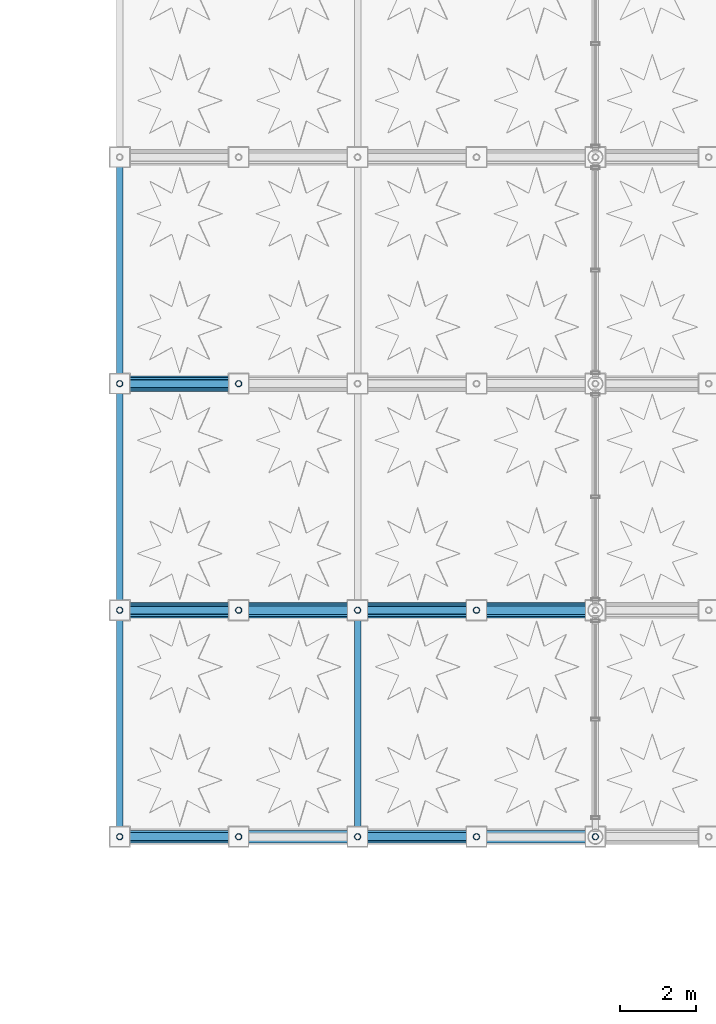
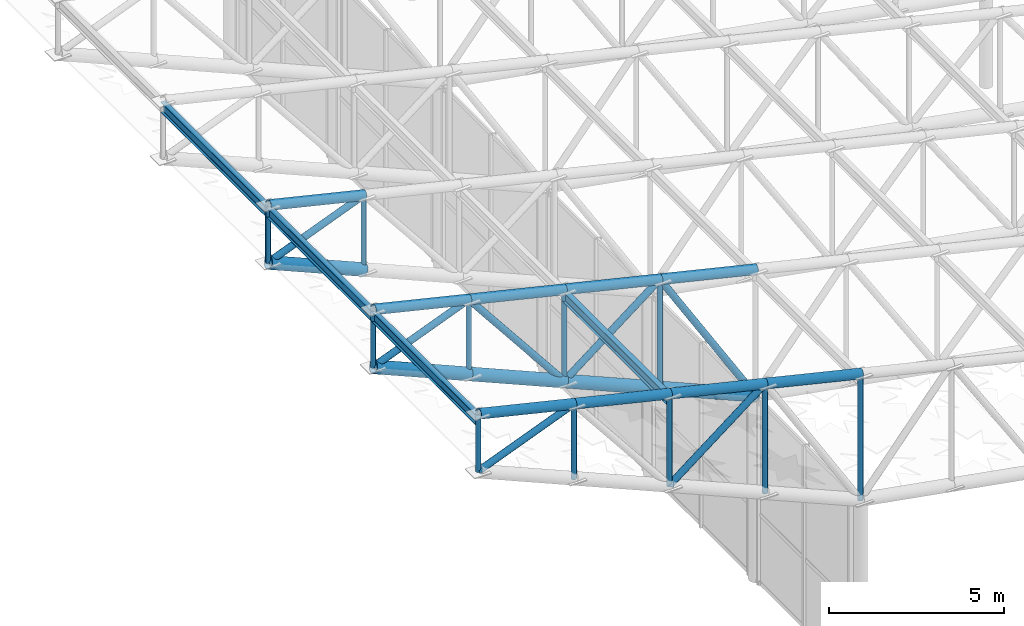
# One storey, part 25 of 112: 32 members, 4 beams.
"""IFC4 building model written with IfcOpenShell, lengths in metres."""

import ifcopenshell
import ifcopenshell.guid

model = None  # the IFC model being written
_history = None  # IfcOwnerHistory: only IFC2X3 demands one
_inside = {}  # id of a spatial element -> (the spatial element, [elements in it])
_under = {}  # id of a project, library or spatial element -> (it, [spatial elements below it])
_declared = {}  # id of a project -> (the project, [libraries it declares])
_typed = {}  # id of a type object -> (the type object, [elements of that type])
_made_of = {}  # id of a material, layer set ... -> (it, [elements and type objects made of it])


def new_model(schema):
    """Start an empty IFC model of exactly this schema.

    Asked for "IFC4X3", IfcOpenShell would pick the latest addendum, in which some entities
    have other attributes; the version numbers below select the first issue.
    IFC2X3 requires an IfcOwnerHistory on every rooted entity: one is made here for all.
    """
    global model, _history
    if schema == "IFC4X3":
        model = ifcopenshell.file(schema_version=(4, 3, 0, 0))
    else:
        model = ifcopenshell.file(schema=schema)
    _inside.clear()
    _under.clear()
    _declared.clear()
    _typed.clear()
    _made_of.clear()
    _history = None
    if model.schema == "IFC2X3":
        org = make("IfcOrganization", Name="unknown")
        user = make(
            "IfcPersonAndOrganization",
            ThePerson=make("IfcPerson", FamilyName="unknown"),
            TheOrganization=org,
        )
        app = make(
            "IfcApplication",
            ApplicationDeveloper=org,
            Version="unknown",
            ApplicationFullName="unknown",
            ApplicationIdentifier="unknown",
        )
        _history = make(
            "IfcOwnerHistory",
            OwningUser=user,
            OwningApplication=app,
            ChangeAction="ADDED",
            CreationDate=0,
        )
    return model


def make(cls, **values):
    """One entity of the class cls with the attributes given. An attribute that is None is left unset."""
    return model.create_entity(
        cls, **{name: value for name, value in values.items() if value is not None}
    )


def rooted(cls, **values):
    """An entity with a GlobalId (a new one), such as an element, a storey or a relation."""
    return make(cls, GlobalId=ifcopenshell.guid.new(), OwnerHistory=_history, **values)


def si_unit(unit_type, name, prefix=None):
    """IfcSIUnit, for example si_unit("LENGTHUNIT", "METRE", prefix="MILLI")."""
    return make("IfcSIUnit", UnitType=unit_type, Prefix=prefix, Name=name)


def assignment(units):
    """IfcUnitAssignment: the units of a project."""
    return None if units is None else make("IfcUnitAssignment", Units=units)


def point(xyz):
    """IfcCartesianPoint."""
    return None if xyz is None else make("IfcCartesianPoint", Coordinates=xyz)


def direction(xyz):
    """IfcDirection."""
    return None if xyz is None else make("IfcDirection", DirectionRatios=xyz)


def frame(location, z_axis=None, x_axis=None):
    """IfcAxis2Placement3D, a coordinate frame: its origin and axes. An axis left out is left unset."""
    return make(
        "IfcAxis2Placement3D",
        Location=point(location),
        Axis=direction(z_axis),
        RefDirection=direction(x_axis),
    )


def frame_2d(location, x_axis=None):
    """IfcAxis2Placement2D, a coordinate frame in the plane: its origin and x axis."""
    return make(
        "IfcAxis2Placement2D", Location=point(location), RefDirection=direction(x_axis)
    )


def origin():
    """The frame at (0, 0, 0) with its axes left unset."""
    return frame((0.0, 0.0, 0.0))


def origin_2d():
    """The frame at (0, 0) in the plane with its x axis left unset."""
    return frame_2d((0.0, 0.0))


def place(relative_to, where):
    """IfcLocalPlacement: puts the frame where relative to a parent placement (None: the world)."""
    return make(
        "IfcLocalPlacement", PlacementRelTo=relative_to, RelativePlacement=where
    )


def context(
    kind, dimensions, precision=None, world=None, true_north=None, identifier=None
):
    """IfcGeometricRepresentationContext, for example the 3D "Model" context."""
    return make(
        "IfcGeometricRepresentationContext",
        ContextIdentifier=identifier,
        ContextType=kind,
        CoordinateSpaceDimension=dimensions,
        Precision=precision,
        WorldCoordinateSystem=world,
        TrueNorth=true_north,
    )


def subcontext(parent, identifier, kind, view, scale=None):
    """IfcGeometricRepresentationSubContext, for example "Body" below "Model"."""
    return make(
        "IfcGeometricRepresentationSubContext",
        ContextIdentifier=identifier,
        ContextType=kind,
        ParentContext=parent,
        TargetScale=scale,
        TargetView=view,
    )


def project(units=None, contexts=None):
    """IfcProject with its units and contexts."""
    return rooted(
        "IfcProject",
        Name="project",
        RepresentationContexts=contexts,
        UnitsInContext=assignment(units),
    )


def spatial(cls, under=None, at=None, **own):
    """A site, building, storey or space (cls), placed at a placement, below another one or the project."""
    s = rooted(cls, ObjectPlacement=at, **own)
    if under is not None:
        _under.setdefault(under.id(), (under, []))[1].append(s)
    return s


def profile(cls, at=None, kind="AREA", **sizes):
    """A parametric profile (cls). Its sizes go by their IFC names, for example OverallWidth=200.0."""
    return make(cls, ProfileType=kind, Position=at, **sizes)


def hollow_circle(**sizes):
    """IfcCircleHollowProfileDef."""
    return profile("IfcCircleHollowProfileDef", **sizes)


def i_section(**sizes):
    """IfcIShapeProfileDef."""
    return profile("IfcIShapeProfileDef", **sizes)


def extrude(swept, where, along, depth):
    """IfcExtrudedAreaSolid: the profile swept, set in the frame where, extruded along a direction by depth."""
    return make(
        "IfcExtrudedAreaSolid",
        SweptArea=swept,
        Position=where,
        ExtrudedDirection=direction(along),
        Depth=depth,
    )


def shape(context_of_items, identifier, shape_type, items):
    """IfcShapeRepresentation: the items that make up one representation, for example the "Body"."""
    return make(
        "IfcShapeRepresentation",
        ContextOfItems=context_of_items,
        RepresentationIdentifier=identifier,
        RepresentationType=shape_type,
        Items=items,
    )


def material(Name=None, Category=None):
    """IfcMaterial."""
    return make("IfcMaterial", Name=Name, Category=Category)


def material_profile(
    of_material, cross_section, Name=None, Category=None, Priority=None
):
    """IfcMaterialProfile: a cross section and its material."""
    return make(
        "IfcMaterialProfile",
        Name=Name,
        Material=of_material,
        Profile=cross_section,
        Priority=Priority,
        Category=Category,
    )


def profile_set(profiles, Name=None, composite=None):
    """IfcMaterialProfileSet."""
    return make(
        "IfcMaterialProfileSet",
        Name=Name,
        MaterialProfiles=profiles,
        CompositeProfile=composite,
    )


def made_of(thing, what):
    """Note that an element or type object is made of a material, layer set ...; save() writes the relation."""
    if what is not None:
        _made_of.setdefault(what.id(), (what, []))[1].append(thing)
    return thing


def type_object(cls, material=None, **own):
    """A type object (cls), such as IfcWallType, which elements share."""
    return made_of(rooted(cls, **own), material)


def element(
    cls,
    number,
    at=None,
    inside=None,
    cuts=None,
    type_object=None,
    material=None,
    context=None,
    identifier="Body",
    shape_type=None,
    held_by="IfcProductDefinitionShape",
    body=None,
    shapes=None,
    **own,
):
    """One element of the class cls, such as IfcWall. Its Tag is "e" and its number.

    at: its placement. inside: the storey or other place that contains it. cuts: it is an
    opening in that element (IfcRelVoidsElement). A single representation is given by context,
    identifier, shape_type and body (its items); several are given by shapes. held_by: the class
    of the entity that holds the representations. save() writes the other relations.
    """
    e = rooted(cls, Tag="e%d" % number, ObjectPlacement=at, **own)
    if body is not None:
        shapes = [shape(context, identifier, shape_type, body)]
    if shapes is not None:
        e.Representation = make(held_by, Representations=shapes)
    if inside is not None:
        _inside.setdefault(inside.id(), (inside, []))[1].append(e)
    if cuts is not None:
        rooted(
            "IfcRelVoidsElement", RelatingBuildingElement=cuts, RelatedOpeningElement=e
        )
    if type_object is not None:
        _typed.setdefault(type_object.id(), (type_object, []))[1].append(e)
    return made_of(e, material)


def aggregate(whole, parts):
    """IfcRelAggregates: a whole, such as a stair, and the parts it consists of."""
    return rooted("IfcRelAggregates", RelatingObject=whole, RelatedObjects=parts)


def save(model, path):
    """Write the relations noted so far, then the file.

    IfcRelAggregates (storeys below a building ...), IfcRelContainedInSpatialStructure (elements
    in a storey), IfcRelDefinesByType, IfcRelAssociatesMaterial and IfcRelDeclares: one each for
    every whole, place, type object, material and project.
    """
    for whole, parts in _under.values():
        aggregate(whole, parts)
    for where, things in _inside.values():
        rooted(
            "IfcRelContainedInSpatialStructure",
            RelatedElements=things,
            RelatingStructure=where,
        )
    for kind, things in _typed.values():
        rooted("IfcRelDefinesByType", RelatedObjects=things, RelatingType=kind)
    for what, things in _made_of.values():
        rooted("IfcRelAssociatesMaterial", RelatedObjects=things, RelatingMaterial=what)
    for by, libraries in _declared.values():
        rooted("IfcRelDeclares", RelatingContext=by, RelatedDefinitions=libraries)
    model.write(path)


model = new_model("IFC4")

# Units and contexts
model_context = context("Model", 3, precision=1e-05, world=origin(), true_north=direction((0.0, 1.0)))
body_context = subcontext(model_context, "Body", "Model", "MODEL_VIEW")
ifc_project = project(units=[si_unit("LENGTHUNIT", "METRE"), si_unit("AREAUNIT", "SQUARE_METRE"), si_unit("VOLUMEUNIT", "CUBIC_METRE"), si_unit("PLANEANGLEUNIT", "RADIAN"), si_unit("MASSUNIT", "GRAM", prefix="KILO"), si_unit("THERMODYNAMICTEMPERATUREUNIT", "KELVIN"), si_unit("POWERUNIT", "WATT")], contexts=[model_context])

# Site, building, storey
site_placement = place(None, origin())
site = spatial("IfcSite", under=ifc_project, at=site_placement, CompositionType="ELEMENT")
building_placement = place(site_placement, origin())
building = spatial("IfcBuilding", under=site, at=building_placement, Name="Phaisarnlok Congress Hotel", CompositionType="ELEMENT")
storey_placement = place(building_placement, frame((0.0, 0.0, 19.800048828125)))
storey = spatial("IfcBuildingStorey", under=building, at=storey_placement, Name="L04", CompositionType="ELEMENT", Elevation=19.800048828125)

# Beams
ifc_material = material(Name="Steel S355", Category="steel")
ifc_material_profile_1 = material_profile(ifc_material, i_section(OverallWidth=0.169921875, OverallDepth=0.360107421875, WebThickness=0.008056640625, FlangeThickness=0.0126953125, FilletRadius=0.01806640625, at=origin_2d()), Name="IPE 360")
ifc_profile_set_1 = profile_set([ifc_material_profile_1], Name="Steel S355")
beam_type = type_object("IfcBeamType", Name="JS-STL-IPE360-EXT", PredefinedType="JOIST", material=ifc_profile_set_1)
for number, where, z_axis, x_axis, name in (
    (1, (113.699951171875, 48.0, 12.104248046875), (0.0, 1.0, 0.0), (-1.0, 0.0, 0.0), "Cloister wing roof purlin"),
    (2, (107.39990234375, 48.0, 13.60791015625), (0.0, 1.0, 0.0), (-1.0, 0.0, 0.0), "Cloister wing roof purlin"),
    (3, (107.39990234375, 54.0, 13.60791015625), (0.0, 1.0, 0.0), (-1.0, 0.0, 0.0), "Cloister wing roof purlin"),
    (4, (107.39990234375, 60.0, 13.60791015625), (0.0, 1.0, 0.0), (-1.0, 0.0, 0.0), "Cloister wing roof purlin"),
):
    element("IfcBeam", number, at=place(storey_placement, frame(where, z_axis=z_axis, x_axis=x_axis)), inside=storey, type_object=beam_type, Name=name, PredefinedType="JOIST", context=body_context, shape_type="SweptSolid", body=[
        extrude(i_section(OverallWidth=0.169921875, OverallDepth=0.360107421875, WebThickness=0.008056640625, FlangeThickness=0.0126953125, FilletRadius=0.01806640625, at=origin_2d()), origin(), (0.0, 0.0, 1.0), 6.0),
    ])

# Members
ifc_material_profile_2 = material_profile(ifc_material, hollow_circle(Radius=0.084228515625, WallThickness=0.010009765625, at=origin_2d()), Name="CHS 168.3x10")
ifc_profile_set_2 = profile_set([ifc_material_profile_2], Name="Steel S355")
member_type_1 = type_object("IfcMemberType", Name="MEM-BRC-CHS168", PredefinedType="BRACE", material=ifc_profile_set_2)
member_1_placement = place(storey_placement, frame((120.0, 48.0, 6.39990234375), z_axis=(0.0, 0.0, 1.0), x_axis=(1.0, 0.0, 0.0)))
element("IfcMember", 5, at=member_1_placement, inside=storey, type_object=member_type_1, Name="Cloister wing roof truss vertical web", PredefinedType="BRACE", context=body_context, shape_type="SweptSolid", body=[
    extrude(hollow_circle(Radius=0.084228515625, WallThickness=0.010009765625, at=origin_2d()), origin(), (0.0, 0.0, 1.0), 4.392578125),
])
ifc_material_profile_3 = material_profile(ifc_material, hollow_circle(Radius=0.084228515625, WallThickness=0.010009765625, at=origin_2d()), Name="CHS 168.3x10")
ifc_profile_set_3 = profile_set([ifc_material_profile_3], Name="Steel S355")
member_type_2 = type_object("IfcMemberType", Name="MEM-BRC-CHS168-EXT", PredefinedType="BRACE", material=ifc_profile_set_3)
member_2_placement = place(storey_placement, frame((116.85009765625, 48.0, 7.75), z_axis=(0.0, 0.0, 1.0), x_axis=(1.0, 0.0, 0.0)))
element("IfcMember", 6, at=member_2_placement, inside=storey, type_object=member_type_2, Name="Cloister wing roof truss vertical web", PredefinedType="BRACE", context=body_context, shape_type="SweptSolid", body=[
    extrude(hollow_circle(Radius=0.084228515625, WallThickness=0.010009765625, at=origin_2d()), origin(), (0.0, 0.0, 1.0), 3.79443359375),
])
member_3_placement = place(storey_placement, frame((113.699951171875, 48.0, 9.099853515625), z_axis=(0.0, 0.0, 1.0), x_axis=(1.0, 0.0, 0.0)))
element("IfcMember", 7, at=member_3_placement, inside=storey, type_object=member_type_2, Name="Cloister wing roof truss vertical web", PredefinedType="BRACE", context=body_context, shape_type="SweptSolid", body=[
    extrude(hollow_circle(Radius=0.084228515625, WallThickness=0.010009765625, at=origin_2d()), origin(), (0.0, 0.0, 1.0), 3.1962890625),
])
member_4_placement = place(storey_placement, frame((110.550048828125, 48.0, 10.449951171875), z_axis=(0.0, 0.0, 1.0), x_axis=(1.0, 0.0, 0.0)))
element("IfcMember", 8, at=member_4_placement, inside=storey, type_object=member_type_2, Name="Cloister wing roof truss vertical web", PredefinedType="BRACE", context=body_context, shape_type="SweptSolid", body=[
    extrude(hollow_circle(Radius=0.084228515625, WallThickness=0.010009765625, at=origin_2d()), origin(), (0.0, 0.0, 1.0), 2.59814453125),
])
member_5_placement = place(storey_placement, frame((107.39990234375, 48.0, 11.800048828125), z_axis=(0.0, 0.0, 1.0), x_axis=(1.0, 0.0, 0.0)))
element("IfcMember", 9, at=member_5_placement, inside=storey, type_object=member_type_2, Name="Cloister wing roof truss vertical web", PredefinedType="BRACE", context=body_context, shape_type="SweptSolid", body=[
    extrude(hollow_circle(Radius=0.084228515625, WallThickness=0.010009765625, at=origin_2d()), origin(), (0.0, 0.0, 1.0), 2.0),
])
member_6_placement = place(storey_placement, frame((116.85009765625, 54.0, 7.75), z_axis=(0.0, 0.0, 1.0), x_axis=(1.0, 0.0, 0.0)))
element("IfcMember", 10, at=member_6_placement, inside=storey, type_object=member_type_2, Name="Cloister wing roof truss vertical web", PredefinedType="BRACE", context=body_context, shape_type="SweptSolid", body=[
    extrude(hollow_circle(Radius=0.084228515625, WallThickness=0.010009765625, at=origin_2d()), origin(), (0.0, 0.0, 1.0), 3.79443359375),
])
member_7_placement = place(storey_placement, frame((113.699951171875, 54.0, 9.099853515625), z_axis=(0.0, 0.0, 1.0), x_axis=(1.0, 0.0, 0.0)))
element("IfcMember", 11, at=member_7_placement, inside=storey, type_object=member_type_2, Name="Cloister wing roof truss vertical web", PredefinedType="BRACE", context=body_context, shape_type="SweptSolid", body=[
    extrude(hollow_circle(Radius=0.084228515625, WallThickness=0.010009765625, at=origin_2d()), origin(), (0.0, 0.0, 1.0), 3.1962890625),
])
member_8_placement = place(storey_placement, frame((110.550048828125, 54.0, 10.449951171875), z_axis=(0.0, 0.0, 1.0), x_axis=(1.0, 0.0, 0.0)))
element("IfcMember", 12, at=member_8_placement, inside=storey, type_object=member_type_2, Name="Cloister wing roof truss vertical web", PredefinedType="BRACE", context=body_context, shape_type="SweptSolid", body=[
    extrude(hollow_circle(Radius=0.084228515625, WallThickness=0.010009765625, at=origin_2d()), origin(), (0.0, 0.0, 1.0), 2.59814453125),
])
member_9_placement = place(storey_placement, frame((107.39990234375, 54.0, 11.800048828125), z_axis=(0.0, 0.0, 1.0), x_axis=(1.0, 0.0, 0.0)))
element("IfcMember", 13, at=member_9_placement, inside=storey, type_object=member_type_2, Name="Cloister wing roof truss vertical web", PredefinedType="BRACE", context=body_context, shape_type="SweptSolid", body=[
    extrude(hollow_circle(Radius=0.084228515625, WallThickness=0.010009765625, at=origin_2d()), origin(), (0.0, 0.0, 1.0), 2.0),
])
member_10_placement = place(storey_placement, frame((110.550048828125, 60.0, 10.449951171875), z_axis=(0.0, 0.0, 1.0), x_axis=(1.0, 0.0, 0.0)))
element("IfcMember", 14, at=member_10_placement, inside=storey, type_object=member_type_2, Name="Cloister wing roof truss vertical web", PredefinedType="BRACE", context=body_context, shape_type="SweptSolid", body=[
    extrude(hollow_circle(Radius=0.084228515625, WallThickness=0.010009765625, at=origin_2d()), origin(), (0.0, 0.0, 1.0), 2.59814453125),
])
member_11_placement = place(storey_placement, frame((107.39990234375, 60.0, 11.800048828125), z_axis=(0.0, 0.0, 1.0), x_axis=(1.0, 0.0, 0.0)))
element("IfcMember", 15, at=member_11_placement, inside=storey, type_object=member_type_2, Name="Cloister wing roof truss vertical web", PredefinedType="BRACE", context=body_context, shape_type="SweptSolid", body=[
    extrude(hollow_circle(Radius=0.084228515625, WallThickness=0.010009765625, at=origin_2d()), origin(), (0.0, 0.0, 1.0), 2.0),
])
ifc_material_profile_4 = material_profile(ifc_material, hollow_circle(Radius=0.109619140625, WallThickness=0.012451171875, at=origin_2d()), Name="CHS 219.1x12.5")
ifc_profile_set_4 = profile_set([ifc_material_profile_4], Name="Steel S355")
member_type_3 = type_object("IfcMemberType", Name="MEM-BRC-CHS219-EXT", PredefinedType="BRACE", material=ifc_profile_set_4)
member_12_placement = place(storey_placement, frame((113.699951171875, 48.0, 9.099853515625), z_axis=(0.790024309268, 0.0, 0.613075517996), x_axis=(0.0, 1.0, 0.0)))
element("IfcMember", 16, at=member_12_placement, inside=storey, type_object=member_type_3, Name="Cloister wing roof truss diagonal brace", PredefinedType="BRACE", context=body_context, shape_type="SweptSolid", body=[
    extrude(hollow_circle(Radius=0.109619140625, WallThickness=0.012451171875, at=origin_2d()), origin(), (0.0, 0.0, 1.0), 3.9873046875),
])
member_13_placement = place(storey_placement, frame((107.39990234375, 48.0, 11.800048828125), z_axis=(0.929694070323, 0.0, 0.368332642602), x_axis=(0.0, 1.0, 0.0)))
element("IfcMember", 17, at=member_13_placement, inside=storey, type_object=member_type_3, Name="Cloister wing roof truss diagonal brace", PredefinedType="BRACE", context=body_context, shape_type="SweptSolid", body=[
    extrude(hollow_circle(Radius=0.109619140625, WallThickness=0.012451171875, at=origin_2d()), origin(), (0.0, 0.0, 1.0), 3.388427734375),
])
member_14_placement = place(storey_placement, frame((120.0, 54.0, 6.39990234375), z_axis=(-0.522176688857, 0.0, 0.852837326584), x_axis=(0.0, -1.0, 0.0)))
element("IfcMember", 18, at=member_14_placement, inside=storey, type_object=member_type_3, Name="Cloister wing roof truss diagonal brace", PredefinedType="BRACE", context=body_context, shape_type="SweptSolid", body=[
    extrude(hollow_circle(Radius=0.109619140625, WallThickness=0.012451171875, at=origin_2d()), origin(), (0.0, 0.0, 1.0), 6.0322265625),
])
member_15_placement = place(storey_placement, frame((113.699951171875, 54.0, 9.099853515625), z_axis=(0.790024309268, 0.0, 0.613075517996), x_axis=(0.0, 1.0, 0.0)))
element("IfcMember", 19, at=member_15_placement, inside=storey, type_object=member_type_3, Name="Cloister wing roof truss diagonal brace", PredefinedType="BRACE", context=body_context, shape_type="SweptSolid", body=[
    extrude(hollow_circle(Radius=0.109619140625, WallThickness=0.012451171875, at=origin_2d()), origin(), (0.0, 0.0, 1.0), 3.9873046875),
])
member_16_placement = place(storey_placement, frame((113.699951171875, 54.0, 9.099853515625), z_axis=(-0.623645214912, 0.0, 0.78170751942), x_axis=(0.0, -1.0, 0.0)))
element("IfcMember", 20, at=member_16_placement, inside=storey, type_object=member_type_3, Name="Cloister wing roof truss diagonal brace", PredefinedType="BRACE", context=body_context, shape_type="SweptSolid", body=[
    extrude(hollow_circle(Radius=0.109619140625, WallThickness=0.012451171875, at=origin_2d()), origin(), (0.0, 0.0, 1.0), 5.05078125),
])
for number, where, z_axis, x_axis, name in (
    (21, (107.39990234375, 54.0, 11.800048828125), (0.929694070323, 0.0, 0.368332642602), (0.0, 1.0, 0.0), "Cloister wing roof truss diagonal brace"),
    (22, (107.39990234375, 60.0, 11.800048828125), (0.929694070323, 0.0, 0.368332642602), (0.0, 1.0, 0.0), "Cloister wing roof truss diagonal brace"),
):
    element("IfcMember", number, at=place(storey_placement, frame(where, z_axis=z_axis, x_axis=x_axis)), inside=storey, type_object=member_type_3, Name=name, PredefinedType="BRACE", context=body_context, shape_type="SweptSolid", body=[
        extrude(hollow_circle(Radius=0.109619140625, WallThickness=0.012451171875, at=origin_2d()), origin(), (0.0, 0.0, 1.0), 3.388427734375),
    ])
ifc_material_profile_5 = material_profile(ifc_material, hollow_circle(Radius=0.161865234375, WallThickness=0.01611328125, at=origin_2d()), Name="CHS 323.9x16")
ifc_profile_set_5 = profile_set([ifc_material_profile_5], Name="Steel S355")
member_type_4 = type_object("IfcMemberType", Name="MEM-CHD-CHS324-EXT", PredefinedType="CHORD", material=ifc_profile_set_5)
for number, where, z_axis, x_axis, name in (
    (23, (120.0, 48.0, 10.79248046875), (-0.972668531165, 0.0, 0.232198037203), (0.0, -1.0, 0.0), "Cloister wing roof truss top chord"),
    (24, (116.85009765625, 48.0, 11.54443359375), (-0.972689617372, 0.0, 0.232109690141), (0.0, -1.0, 0.0), "Cloister wing roof truss top chord"),
    (25, (113.699951171875, 48.0, 12.296142578125), (-0.972668531165, 0.0, 0.232198037203), (0.0, -1.0, 0.0), "Cloister wing roof truss top chord"),
):
    element("IfcMember", number, at=place(storey_placement, frame(where, z_axis=z_axis, x_axis=x_axis)), inside=storey, type_object=member_type_4, Name=name, PredefinedType="CHORD", context=body_context, shape_type="SweptSolid", body=[
        extrude(hollow_circle(Radius=0.161865234375, WallThickness=0.01611328125, at=origin_2d()), origin(), (0.0, 0.0, 1.0), 3.238525390625),
    ])
member_17_placement = place(storey_placement, frame((110.550048828125, 48.0, 13.048095703125), z_axis=(-0.972672595385, 0.0, 0.232181011686), x_axis=(0.0, -1.0, 0.0)))
element("IfcMember", 26, at=member_17_placement, inside=storey, type_object=member_type_4, Name="Cloister wing roof truss top chord", PredefinedType="CHORD", context=body_context, shape_type="SweptSolid", body=[
    extrude(hollow_circle(Radius=0.161865234375, WallThickness=0.01611328125, at=origin_2d()), origin(), (0.0, 0.0, 1.0), 3.23876953125),
])
for number, where, z_axis, x_axis, name in (
    (27, (120.0, 54.0, 10.79248046875), (-0.972668531165, 0.0, 0.232198037203), (0.0, -1.0, 0.0), "Cloister wing roof truss top chord"),
    (28, (116.85009765625, 54.0, 11.54443359375), (-0.972689617372, 0.0, 0.232109690141), (0.0, -1.0, 0.0), "Cloister wing roof truss top chord"),
    (29, (113.699951171875, 54.0, 12.296142578125), (-0.972668531165, 0.0, 0.232198037203), (0.0, -1.0, 0.0), "Cloister wing roof truss top chord"),
):
    element("IfcMember", number, at=place(storey_placement, frame(where, z_axis=z_axis, x_axis=x_axis)), inside=storey, type_object=member_type_4, Name=name, PredefinedType="CHORD", context=body_context, shape_type="SweptSolid", body=[
        extrude(hollow_circle(Radius=0.161865234375, WallThickness=0.01611328125, at=origin_2d()), origin(), (0.0, 0.0, 1.0), 3.238525390625),
    ])
for number, where, z_axis, x_axis, name in (
    (30, (110.550048828125, 54.0, 13.048095703125), (-0.972672595385, 0.0, 0.232181011686), (0.0, -1.0, 0.0), "Cloister wing roof truss top chord"),
    (31, (110.550048828125, 60.0, 13.048095703125), (-0.972672595385, 0.0, 0.232181011686), (0.0, -1.0, 0.0), "Cloister wing roof truss top chord"),
):
    element("IfcMember", number, at=place(storey_placement, frame(where, z_axis=z_axis, x_axis=x_axis)), inside=storey, type_object=member_type_4, Name=name, PredefinedType="CHORD", context=body_context, shape_type="SweptSolid", body=[
        extrude(hollow_circle(Radius=0.161865234375, WallThickness=0.01611328125, at=origin_2d()), origin(), (0.0, 0.0, 1.0), 3.23876953125),
    ])
ifc_material_profile_6 = material_profile(ifc_material, hollow_circle(Radius=0.203125, WallThickness=0.02001953125, at=origin_2d()), Name="CHS 406.4x20")
ifc_profile_set_6 = profile_set([ifc_material_profile_6], Name="Steel S355")
member_type_5 = type_object("IfcMemberType", Name="MEM-CHD-CHS406-EXT", PredefinedType="CHORD", material=ifc_profile_set_6)
member_18_placement = place(storey_placement, frame((120.0, 54.0, 6.39990234375), z_axis=(-0.919130290196, 0.0, 0.393953689721), x_axis=(0.0, -1.0, 0.0)))
element("IfcMember", 32, at=member_18_placement, inside=storey, type_object=member_type_5, Name="Cloister wing roof truss bottom chord", PredefinedType="CHORD", context=body_context, shape_type="SweptSolid", body=[
    extrude(hollow_circle(Radius=0.203125, WallThickness=0.02001953125, at=origin_2d()), origin(), (0.0, 0.0, 1.0), 3.427001953125),
])
member_19_placement = place(storey_placement, frame((116.85009765625, 54.0, 7.75), z_axis=(-0.919167136512, 0.0, 0.393867712762), x_axis=(0.0, -1.0, 0.0)))
element("IfcMember", 33, at=member_19_placement, inside=storey, type_object=member_type_5, Name="Cloister wing roof truss bottom chord", PredefinedType="CHORD", context=body_context, shape_type="SweptSolid", body=[
    extrude(hollow_circle(Radius=0.203125, WallThickness=0.02001953125, at=origin_2d()), origin(), (0.0, 0.0, 1.0), 3.42724609375),
])
member_20_placement = place(storey_placement, frame((113.699951171875, 54.0, 9.099853515625), z_axis=(-0.919130290196, 0.0, 0.393953689721), x_axis=(0.0, -1.0, 0.0)))
element("IfcMember", 34, at=member_20_placement, inside=storey, type_object=member_type_5, Name="Cloister wing roof truss bottom chord", PredefinedType="CHORD", context=body_context, shape_type="SweptSolid", body=[
    extrude(hollow_circle(Radius=0.203125, WallThickness=0.02001953125, at=origin_2d()), origin(), (0.0, 0.0, 1.0), 3.427001953125),
])
for number, where, z_axis, x_axis, name in (
    (35, (110.550048828125, 54.0, 10.449951171875), (-0.919141345424, 0.0, 0.393927895853), (0.0, -1.0, 0.0), "Cloister wing roof truss bottom chord"),
    (36, (110.550048828125, 60.0, 10.449951171875), (-0.919141345424, 0.0, 0.393927895853), (0.0, -1.0, 0.0), "Cloister wing roof truss bottom chord"),
):
    element("IfcMember", number, at=place(storey_placement, frame(where, z_axis=z_axis, x_axis=x_axis)), inside=storey, type_object=member_type_5, Name=name, PredefinedType="CHORD", context=body_context, shape_type="SweptSolid", body=[
        extrude(hollow_circle(Radius=0.203125, WallThickness=0.02001953125, at=origin_2d()), origin(), (0.0, 0.0, 1.0), 3.42724609375),
    ])

save(model, "model.ifc")
